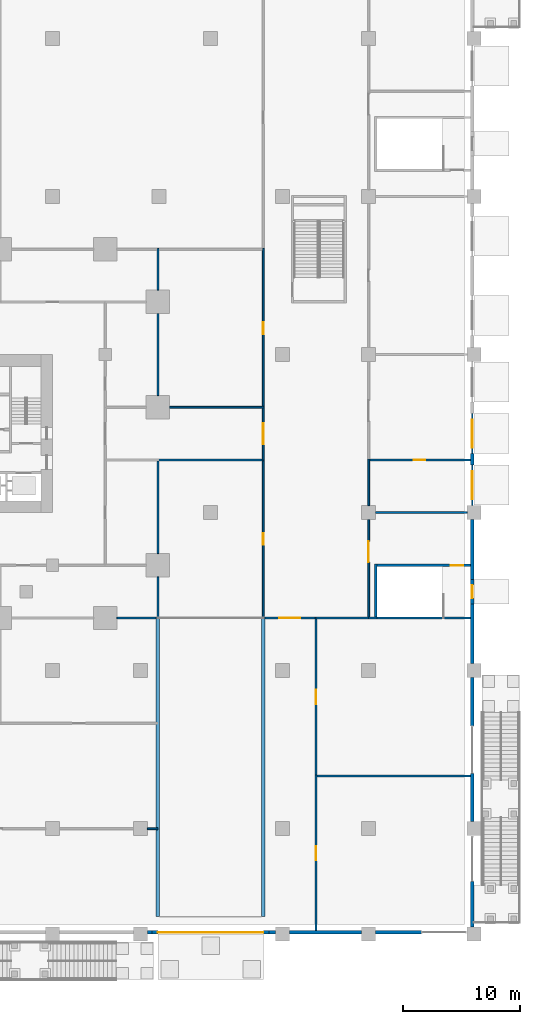
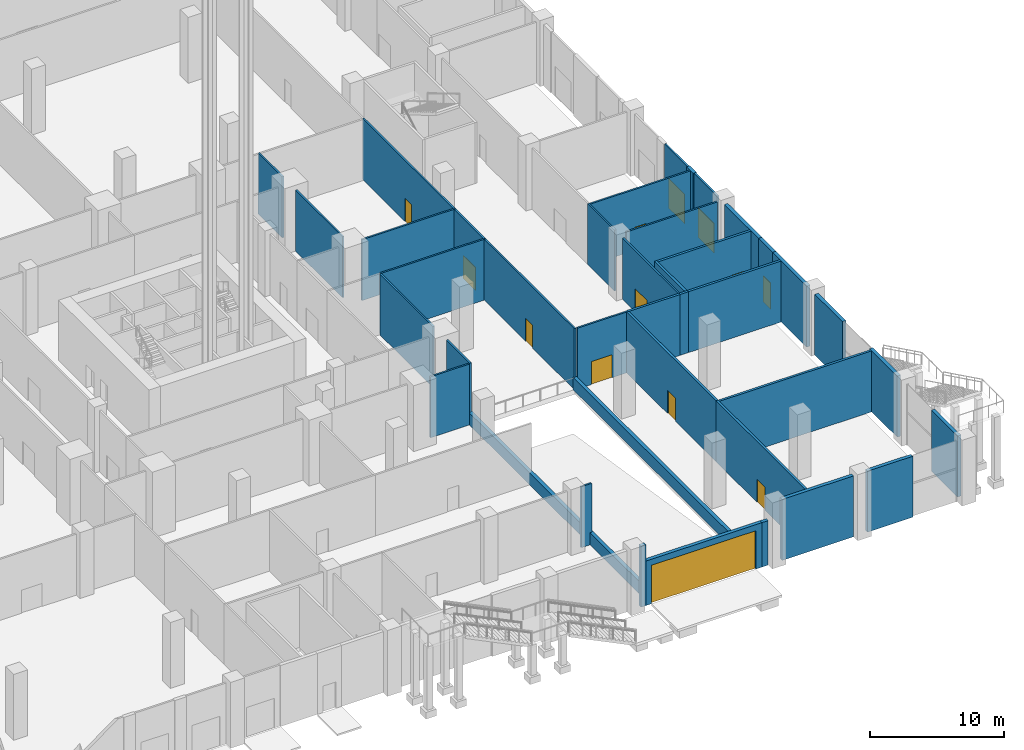
# One storey, part 34 of 68: 40 walls, 13 doors, 13 openings.
"""IFC4 building model written with IfcOpenShell, lengths in metres."""

from ifc_helpers import new_model, si_unit, direction, frame, frame_2d, origin, place, context, subcontext, project, spatial, rectangle, extrude, material, layer, layer_set, type_object, element, fill, save


model = new_model("IFC4")

# Units and contexts
model_context = context("Model", 3, precision=1e-05, world=origin(), true_north=direction((0.0, 1.0)))
body_context = subcontext(model_context, "Body", "Model", "MODEL_VIEW")
ifc_project = project(units=[si_unit("LENGTHUNIT", "METRE"), si_unit("AREAUNIT", "SQUARE_METRE"), si_unit("VOLUMEUNIT", "CUBIC_METRE"), si_unit("PLANEANGLEUNIT", "RADIAN"), si_unit("MASSUNIT", "GRAM", prefix="KILO")], contexts=[model_context])

# Site, building, storey
site_placement = place(None, origin())
site = spatial("IfcSite", under=ifc_project, at=site_placement, CompositionType="ELEMENT")
building_placement = place(site_placement, origin())
building = spatial("IfcBuilding", under=site, at=building_placement, Name="Altepetl Exchange Towers", CompositionType="ELEMENT")
storey_placement = place(building_placement, origin())
storey = spatial("IfcBuildingStorey", under=building, at=storey_placement, Name="L00 Ground concourse", CompositionType="ELEMENT", Elevation=0.0)

# Wall, opening, door
ifc_material_1 = material(Name="Aluminium composite cladding", Category="aluminium")
ifc_layer_1 = layer(ifc_material_1, 0.14990234375)
ifc_layer_set_1 = layer_set([ifc_layer_1], Name="Aluminium composite cladding")
wall_type_1 = type_object("IfcWallType", Name="Infill wall 150 aluminium panel", PredefinedType="SOLIDWALL", material=ifc_layer_set_1)
wall_1_placement = place(storey_placement, frame((152.85009765625, 36.60009765625, 0.0), z_axis=(0.0, 0.0, 1.0), x_axis=(0.0, 1.0, 0.0)))
wall_1 = element("IfcWall", 1, at=wall_1_placement, inside=storey, type_object=wall_type_1, Name="Door bay wall", PredefinedType="SOLIDWALL", context=body_context, shape_type="SweptSolid", body=[
    extrude(rectangle(XDim=3.449951171875, YDim=0.14990234375, at=frame_2d((1.72509765625, 0.0))), origin(), (0.0, 0.0, 1.0), 5.550048828125),
])
opening_1_placement = place(wall_1_placement, frame((0.550048828125, 0.0, 0.0)))
opening_1 = element("IfcOpeningElement", 2, at=opening_1_placement, cuts=wall_1, Name="Opening L00.E45", PredefinedType="OPENING", context=body_context, shape_type="SweptSolid", body=[
    extrude(rectangle(XDim=2.39990234375, YDim=2.699951171875, at=frame_2d((1.199951171875, 1.35009765625))), frame((0.0, 0.0849609375, 0.0), z_axis=(0.0, -1.0, 0.0), x_axis=(1.0, 0.0, 0.0)), (0.0, 0.0, 1.0), 0.169921875),
])
ifc_material_2 = material(Name="Aluminium 6063-T6 and glass", Category="aluminium")
door_type_1 = type_object("IfcDoorType", Name="Entrance door pair 2400x2700 pedestrian", OperationType="DOUBLE_DOOR_DOUBLE_SWING", PredefinedType="NOTDEFINED", material=ifc_material_2)
door_1_placement = place(opening_1_placement, frame((2.39990234375, 0.0, 0.0), x_axis=(-1.0, 0.0, 0.0)))
door_1 = element("IfcDoor", 3, at=door_1_placement, inside=storey, type_object=door_type_1, Name="Entrance door", OperationType="DOUBLE_DOOR_DOUBLE_SWING", OverallHeight=2.699951171875, OverallWidth=2.39990234375, PredefinedType="NOTDEFINED", context=body_context, shape_type="SweptSolid", body=[
    extrude(rectangle(XDim=2.39990234375, YDim=2.699951171875, at=frame_2d((1.199951171875, 1.35009765625))), frame((0.0, 0.02490234375, 0.0), z_axis=(0.0, -1.0, 0.0), x_axis=(1.0, 0.0, 0.0)), (0.0, 0.0, 1.0), 0.050048828125),
])
fill(opening_1, door_1)

wall_2_placement = place(storey_placement, frame((152.85009765625, 41.050048828125, 0.0), z_axis=(0.0, 0.0, 1.0), x_axis=(0.0, 1.0, 0.0)))
wall_2 = element("IfcWall", 4, at=wall_2_placement, inside=storey, type_object=wall_type_1, Name="Door bay wall", PredefinedType="SOLIDWALL", context=body_context, shape_type="SweptSolid", body=[
    extrude(rectangle(XDim=3.39990234375, YDim=0.14990234375, at=frame_2d((1.699951171875, 0.0))), origin(), (0.0, 0.0, 1.0), 5.550048828125),
])
opening_2_placement = place(wall_2_placement, frame((0.5, 0.0, 0.0)))
opening_2 = element("IfcOpeningElement", 5, at=opening_2_placement, cuts=wall_2, Name="Opening L00.E46", PredefinedType="OPENING", context=body_context, shape_type="SweptSolid", body=[
    extrude(rectangle(XDim=2.39990234375, YDim=2.699951171875, at=frame_2d((1.199951171875, 1.35009765625))), frame((0.0, 0.0849609375, 0.0), z_axis=(0.0, -1.0, 0.0), x_axis=(1.0, 0.0, 0.0)), (0.0, 0.0, 1.0), 0.169921875),
])
door_2_placement = place(opening_2_placement, frame((2.39990234375, 0.0, 0.0), x_axis=(-1.0, 0.0, 0.0)))
door_2 = element("IfcDoor", 6, at=door_2_placement, inside=storey, type_object=door_type_1, Name="Entrance door", OperationType="DOUBLE_DOOR_DOUBLE_SWING", OverallHeight=2.699951171875, OverallWidth=2.39990234375, PredefinedType="NOTDEFINED", context=body_context, shape_type="SweptSolid", body=[
    extrude(rectangle(XDim=2.39990234375, YDim=2.699951171875, at=frame_2d((1.199951171875, 1.35009765625))), frame((0.0, 0.02490234375, 0.0), z_axis=(0.0, -1.0, 0.0), x_axis=(1.0, 0.0, 0.0)), (0.0, 0.0, 1.0), 0.050048828125),
])
fill(opening_2, door_2)

ifc_material_3 = material(Name="Concrete block masonry", Category="masonry")
ifc_layer_2 = layer(ifc_material_3, 0.199951171875)
ifc_layer_set_2 = layer_set([ifc_layer_2], Name="Concrete block masonry")
wall_type_2 = type_object("IfcWallType", Name="Podium fire wall 200", PredefinedType="SOLIDWALL", material=ifc_layer_set_2)
wall_3_placement = place(storey_placement, frame((139.5, 0.300048828125, 0.0), z_axis=(0.0, 0.0, 1.0), x_axis=(0.0, 1.0, 0.0)))
wall_3 = element("IfcWall", 7, at=wall_3_placement, inside=storey, type_object=wall_type_2, Name="wall:P:L00:P229", PredefinedType="SOLIDWALL", context=body_context, shape_type="SweptSolid", body=[
    extrude(rectangle(XDim=13.300048828125, YDim=0.199951171875, at=frame_2d((6.64990234375, 0.0))), origin(), (0.0, 0.0, 1.0), 5.550048828125),
])
opening_3_placement = place(wall_3_placement, frame((6.0, 0.0, 0.0)))
opening_3 = element("IfcOpeningElement", 8, at=opening_3_placement, cuts=wall_3, Name="Opening L00.P041", PredefinedType="OPENING", context=body_context, shape_type="SweptSolid", body=[
    extrude(rectangle(XDim=1.199951171875, YDim=2.10009765625, at=frame_2d((0.60009765625, 1.050048828125))), frame((0.0, 0.10986328125, 0.0), z_axis=(0.0, -1.0, 0.0), x_axis=(1.0, 0.0, 0.0)), (0.0, 0.0, 1.0), 0.219970703125),
])
ifc_material_4 = material(Name="Steel fire door", Category="steel")
door_type_2 = type_object("IfcDoorType", Name="Podium fire door 1200 x 2100 double leaf", OperationType="DOUBLE_DOOR_SINGLE_SWING", PredefinedType="DOOR", material=ifc_material_4)
door_3_placement = place(opening_3_placement, frame((1.199951171875, 0.0, 0.0), x_axis=(-1.0, 0.0, 0.0)))
door_3 = element("IfcDoor", 9, at=door_3_placement, inside=storey, type_object=door_type_2, Name="door:P:L00:041", OperationType="DOUBLE_DOOR_SINGLE_SWING", OverallHeight=2.10009765625, OverallWidth=1.199951171875, PredefinedType="DOOR", context=body_context, shape_type="SweptSolid", body=[
    extrude(rectangle(XDim=1.199951171875, YDim=2.10009765625, at=frame_2d((0.60009765625, 1.050048828125))), frame((0.0, 0.02490234375, 0.0), z_axis=(0.0, -1.0, 0.0), x_axis=(1.0, 0.0, 0.0)), (0.0, 0.0, 1.0), 0.050048828125),
])
fill(opening_3, door_3)

wall_4_placement = place(storey_placement, frame((139.5, 13.5, 0.0), z_axis=(0.0, 0.0, 1.0), x_axis=(0.0, 1.0, 0.0)))
wall_4 = element("IfcWall", 10, at=wall_4_placement, inside=storey, type_object=wall_type_2, Name="wall:P:L00:P230", PredefinedType="SOLIDWALL", context=body_context, shape_type="SweptSolid", body=[
    extrude(rectangle(XDim=13.574951171875, YDim=0.199951171875, at=frame_2d((6.78759765625, 0.0))), origin(), (0.0, 0.0, 1.0), 5.550048828125),
])
opening_4_placement = place(wall_4_placement, frame((6.14990234375, 0.0, 0.0)))
opening_4 = element("IfcOpeningElement", 11, at=opening_4_placement, cuts=wall_4, Name="Opening L00.P042", PredefinedType="OPENING", context=body_context, shape_type="SweptSolid", body=[
    extrude(rectangle(XDim=1.199951171875, YDim=2.10009765625, at=frame_2d((0.60009765625, 1.050048828125))), frame((0.0, 0.10986328125, 0.0), z_axis=(0.0, -1.0, 0.0), x_axis=(1.0, 0.0, 0.0)), (0.0, 0.0, 1.0), 0.219970703125),
])
door_4_placement = place(opening_4_placement, frame((1.199951171875, 0.0, 0.0), x_axis=(-1.0, 0.0, 0.0)))
door_4 = element("IfcDoor", 12, at=door_4_placement, inside=storey, type_object=door_type_2, Name="door:P:L00:042", OperationType="DOUBLE_DOOR_SINGLE_SWING", OverallHeight=2.10009765625, OverallWidth=1.199951171875, PredefinedType="DOOR", context=body_context, shape_type="SweptSolid", body=[
    extrude(rectangle(XDim=1.199951171875, YDim=2.10009765625, at=frame_2d((0.60009765625, 1.050048828125))), frame((0.0, 0.02490234375, 0.0), z_axis=(0.0, -1.0, 0.0), x_axis=(1.0, 0.0, 0.0)), (0.0, 0.0, 1.0), 0.050048828125),
])
fill(opening_4, door_4)

# Walls
wall_5_placement = place(storey_placement, frame((139.60009765625, 13.5, 0.0)))
element("IfcWall", 13, at=wall_5_placement, inside=storey, type_object=wall_type_2, Name="wall:P:L00:P232", PredefinedType="SOLIDWALL", context=body_context, shape_type="SweptSolid", body=[
    extrude(rectangle(XDim=13.099853515625, YDim=0.199951171875, at=frame_2d((6.5498046875, 0.0))), origin(), (0.0, 0.0, 1.0), 5.550048828125),
])
wall_6_placement = place(storey_placement, frame((139.5, 27.0, 0.0)))
element("IfcWall", 14, at=wall_6_placement, inside=storey, type_object=wall_type_2, Name="wall:P:L00:P233", PredefinedType="SOLIDWALL", context=body_context, shape_type="SweptSolid", body=[
    extrude(rectangle(XDim=4.574951171875, YDim=0.199951171875, at=frame_2d((2.28759765625, 0.0))), origin(), (0.0, 0.0, 1.0), 5.550048828125),
])
wall_7_placement = place(storey_placement, frame((144.0, 27.0, 0.0)))
element("IfcWall", 15, at=wall_7_placement, inside=storey, type_object=wall_type_2, Name="wall:P:L00:P234", PredefinedType="SOLIDWALL", context=body_context, shape_type="SweptSolid", body=[
    extrude(rectangle(XDim=0.699951171875, YDim=0.199951171875, at=frame_2d((0.35009765625, 0.0))), origin(), (0.0, 0.0, 1.0), 5.550048828125),
])
ifc_material_5 = material(Name="Gypsum board on steel studs", Category="steel")
ifc_layer_3 = layer(ifc_material_5, 0.14990234375)
ifc_layer_set_3 = layer_set([ifc_layer_3], Name="Gypsum board on steel studs")
wall_type_3 = type_object("IfcWallType", Name="Podium partition 150", PredefinedType="PARTITIONING", material=ifc_layer_set_3)
wall_8_placement = place(storey_placement, frame((122.4951171875, 27.0, 0.0)))
element("IfcWall", 16, at=wall_8_placement, inside=storey, type_object=wall_type_3, Name="wall:P:L00:P199", PredefinedType="PARTITIONING", context=body_context, shape_type="SweptSolid", body=[
    extrude(rectangle(XDim=3.35498046875, YDim=0.14990234375, at=frame_2d((1.677490234375, 0.0))), origin(), (0.0, 0.0, 1.0), 5.550048828125),
])
wall_9_placement = place(storey_placement, frame((126.0, 27.0, 0.0), z_axis=(0.0, 0.0, 1.0), x_axis=(0.0, 1.0, 0.0)))
element("IfcWall", 17, at=wall_9_placement, inside=storey, type_object=wall_type_3, Name="wall:P:L00:P200", PredefinedType="PARTITIONING", context=body_context, shape_type="SweptSolid", body=[
    extrude(rectangle(XDim=3.5048828125, YDim=0.14990234375, at=frame_2d((1.75244140625, 0.0))), origin(), (0.0, 0.0, 1.0), 5.550048828125),
])
wall_10_placement = place(storey_placement, frame((126.0, 54.9951171875, 0.0), z_axis=(0.0, 0.0, 1.0), x_axis=(0.0, 1.0, 0.0)))
element("IfcWall", 18, at=wall_10_placement, inside=storey, type_object=wall_type_3, Name="wall:P:L00:P204", PredefinedType="PARTITIONING", context=body_context, shape_type="SweptSolid", body=[
    extrude(rectangle(XDim=3.579833984375, YDim=0.14990234375, at=frame_2d((1.7900390625, 0.0))), origin(), (0.0, 0.0, 1.0), 5.550048828125),
])
wall_11_placement = place(storey_placement, frame((126.0, 32.4951171875, 0.0), z_axis=(0.0, 0.0, 1.0), x_axis=(0.0, 1.0, 0.0)))
element("IfcWall", 19, at=wall_11_placement, inside=storey, type_object=wall_type_3, Name="wall:P:L00:P208", PredefinedType="PARTITIONING", context=body_context, shape_type="SweptSolid", body=[
    extrude(rectangle(XDim=7.929931640625, YDim=0.14990234375, at=frame_2d((3.96484375, 0.0))), origin(), (0.0, 0.0, 1.0), 5.550048828125),
])
wall_12_placement = place(storey_placement, frame((126.0, 40.5, 0.0)))
element("IfcWall", 20, at=wall_12_placement, inside=storey, type_object=wall_type_3, Name="wall:P:L00:P210", PredefinedType="PARTITIONING", context=body_context, shape_type="SweptSolid", body=[
    extrude(rectangle(XDim=9.074951171875, YDim=0.14990234375, at=frame_2d((4.53759765625, 0.0))), origin(), (0.0, 0.0, 1.0), 5.550048828125),
])
wall_13_placement = place(storey_placement, frame((126.9951171875, 45.0, 0.0)))
element("IfcWall", 21, at=wall_13_placement, inside=storey, type_object=wall_type_3, Name="wall:P:L00:P211", PredefinedType="PARTITIONING", context=body_context, shape_type="SweptSolid", body=[
    extrude(rectangle(XDim=8.079833984375, YDim=0.14990234375, at=frame_2d((4.0400390625, 0.0))), origin(), (0.0, 0.0, 1.0), 5.550048828125),
])

# Wall, opening, door
wall_14_placement = place(storey_placement, frame((135.0, 40.5, 0.0), z_axis=(0.0, 0.0, 1.0), x_axis=(0.0, 1.0, 0.0)))
wall_14 = element("IfcWall", 22, at=wall_14_placement, inside=storey, type_object=wall_type_3, Name="wall:P:L00:P212", PredefinedType="PARTITIONING", context=body_context, shape_type="SweptSolid", body=[
    extrude(rectangle(XDim=4.425048828125, YDim=0.14990234375, at=frame_2d((2.21240234375, 0.0))), origin(), (0.0, 0.0, 1.0), 5.550048828125),
])
opening_5_placement = place(wall_14_placement, frame((1.35009765625, 0.0, 0.0)))
opening_5 = element("IfcOpeningElement", 23, at=opening_5_placement, cuts=wall_14, Name="Opening L00.P090", PredefinedType="OPENING", context=body_context, shape_type="SweptSolid", body=[
    extrude(rectangle(XDim=1.800048828125, YDim=2.10009765625, at=frame_2d((0.89990234375, 1.050048828125))), frame((0.0, 0.0849609375, 0.0), z_axis=(0.0, -1.0, 0.0), x_axis=(1.0, 0.0, 0.0)), (0.0, 0.0, 1.0), 0.169921875),
])
ifc_material_6 = material(Name="Glazed aluminium and steel", Category="steel")
door_type_3 = type_object("IfcDoorType", Name="Podium fire door 1800 x 2100 double leaf", OperationType="DOUBLE_DOOR_SINGLE_SWING", PredefinedType="DOOR", material=ifc_material_6)
door_5_placement = place(opening_5_placement, origin())
door_5 = element("IfcDoor", 24, at=door_5_placement, inside=storey, type_object=door_type_3, Name="door:P:L00:090", OperationType="DOUBLE_DOOR_SINGLE_SWING", OverallHeight=2.10009765625, OverallWidth=1.800048828125, PredefinedType="DOOR", context=body_context, shape_type="SweptSolid", body=[
    extrude(rectangle(XDim=1.800048828125, YDim=2.10009765625, at=frame_2d((0.89990234375, 1.050048828125))), frame((0.0, 0.02490234375, 0.0), z_axis=(0.0, -1.0, 0.0), x_axis=(1.0, 0.0, 0.0)), (0.0, 0.0, 1.0), 0.050048828125),
])
fill(opening_5, door_5)

# Walls
wall_15_placement = place(storey_placement, frame((126.0, 45.9951171875, 0.0), z_axis=(0.0, 0.0, 1.0), x_axis=(0.0, 1.0, 0.0)))
element("IfcWall", 25, at=wall_15_placement, inside=storey, type_object=wall_type_3, Name="wall:P:L00:P213", PredefinedType="PARTITIONING", context=body_context, shape_type="SweptSolid", body=[
    extrude(rectangle(XDim=7.009765625, YDim=0.14990234375, at=frame_2d((3.5048828125, 0.0))), origin(), (0.0, 0.0, 1.0), 5.550048828125),
])
wall_16_placement = place(storey_placement, frame((125.094970703125, 9.0, 0.0)))
element("IfcWall", 26, at=wall_16_placement, inside=storey, type_object=wall_type_3, Name="wall:P:L00:P223", PredefinedType="PARTITIONING", context=body_context, shape_type="SweptSolid", body=[
    extrude(rectangle(XDim=0.905029296875, YDim=0.14990234375, at=frame_2d((0.45263671875, 0.0))), origin(), (0.0, 0.0, 1.0), 5.550048828125),
])

# Wall, opening, door
wall_17_placement = place(storey_placement, frame((135.14990234375, 27.0, 0.0)))
wall_17 = element("IfcWall", 27, at=wall_17_placement, inside=storey, type_object=wall_type_3, Name="wall:P:L00:P231", PredefinedType="PARTITIONING", context=body_context, shape_type="SweptSolid", body=[
    extrude(rectangle(XDim=4.25, YDim=0.14990234375, at=frame_2d((2.125, 0.0))), origin(), (0.0, 0.0, 1.0), 5.550048828125),
])
opening_6_placement = place(wall_17_placement, frame((1.199951171875, 0.0, 0.0)))
opening_6 = element("IfcOpeningElement", 28, at=opening_6_placement, cuts=wall_17, Name="Opening L00.P091", PredefinedType="OPENING", context=body_context, shape_type="SweptSolid", body=[
    extrude(rectangle(XDim=1.800048828125, YDim=2.10009765625, at=frame_2d((0.89990234375, 1.050048828125))), frame((0.0, 0.0849609375, 0.0), z_axis=(0.0, -1.0, 0.0), x_axis=(1.0, 0.0, 0.0)), (0.0, 0.0, 1.0), 0.169921875),
])
door_6_placement = place(opening_6_placement, frame((1.800048828125, 0.0, 0.0), x_axis=(-1.0, 0.0, 0.0)))
door_6 = element("IfcDoor", 29, at=door_6_placement, inside=storey, type_object=door_type_3, Name="door:P:L00:091", OperationType="DOUBLE_DOOR_SINGLE_SWING", OverallHeight=2.10009765625, OverallWidth=1.800048828125, PredefinedType="DOOR", context=body_context, shape_type="SweptSolid", body=[
    extrude(rectangle(XDim=1.800048828125, YDim=2.10009765625, at=frame_2d((0.89990234375, 1.050048828125))), frame((0.0, 0.02490234375, 0.0), z_axis=(0.0, -1.0, 0.0), x_axis=(1.0, 0.0, 0.0)), (0.0, 0.0, 1.0), 0.050048828125),
])
fill(opening_6, door_6)

wall_18_placement = place(storey_placement, frame((135.0, 27.0, 0.0), z_axis=(0.0, 0.0, 1.0), x_axis=(0.0, 1.0, 0.0)))
wall_18 = element("IfcWall", 30, at=wall_18_placement, inside=storey, type_object=wall_type_3, Name="wall:P:L00:P236", PredefinedType="PARTITIONING", context=body_context, shape_type="SweptSolid", body=[
    extrude(rectangle(XDim=13.425048828125, YDim=0.14990234375, at=frame_2d((6.71240234375, 0.0))), origin(), (0.0, 0.0, 1.0), 5.550048828125),
])
opening_7_placement = place(wall_18_placement, frame((6.25, 0.0, 0.0)))
opening_7 = element("IfcOpeningElement", 31, at=opening_7_placement, cuts=wall_18, Name="Opening L00.P043", PredefinedType="OPENING", context=body_context, shape_type="SweptSolid", body=[
    extrude(rectangle(XDim=1.0, YDim=2.10009765625, at=frame_2d((0.5, 1.050048828125))), frame((0.0, 0.0849609375, 0.0), z_axis=(0.0, -1.0, 0.0), x_axis=(1.0, 0.0, 0.0)), (0.0, 0.0, 1.0), 0.169921875),
])
ifc_material_7 = material(Name="Steel and timber fire door", Category="steel")
door_type_4 = type_object("IfcDoorType", Name="Podium fire door 1000 x 2100 single leaf", OperationType="SINGLE_SWING_LEFT", PredefinedType="DOOR", material=ifc_material_7)
door_7_placement = place(opening_7_placement, origin())
door_7 = element("IfcDoor", 32, at=door_7_placement, inside=storey, type_object=door_type_4, Name="door:P:L00:043", OperationType="SINGLE_SWING_RIGHT", OverallHeight=2.10009765625, OverallWidth=1.0, PredefinedType="DOOR", context=body_context, shape_type="SweptSolid", body=[
    extrude(rectangle(XDim=1.0, YDim=2.10009765625, at=frame_2d((0.5, 1.050048828125))), frame((0.0, 0.02490234375, 0.0), z_axis=(0.0, -1.0, 0.0), x_axis=(1.0, 0.0, 0.0)), (0.0, 0.0, 1.0), 0.050048828125),
])
fill(opening_7, door_7)

wall_19_placement = place(storey_placement, frame((135.0, 45.0, 0.0), z_axis=(0.0, 0.0, 1.0), x_axis=(0.0, 1.0, 0.0)))
wall_19 = element("IfcWall", 33, at=wall_19_placement, inside=storey, type_object=wall_type_3, Name="wall:P:L00:P237", PredefinedType="PARTITIONING", context=body_context, shape_type="SweptSolid", body=[
    extrude(rectangle(XDim=13.574951171875, YDim=0.14990234375, at=frame_2d((6.78759765625, 0.0))), origin(), (0.0, 0.0, 1.0), 5.550048828125),
])
opening_8_placement = place(wall_19_placement, frame((6.25, 0.0, 0.0)))
opening_8 = element("IfcOpeningElement", 34, at=opening_8_placement, cuts=wall_19, Name="Opening L00.P044", PredefinedType="OPENING", context=body_context, shape_type="SweptSolid", body=[
    extrude(rectangle(XDim=1.0, YDim=2.10009765625, at=frame_2d((0.5, 1.050048828125))), frame((0.0, 0.0849609375, 0.0), z_axis=(0.0, -1.0, 0.0), x_axis=(1.0, 0.0, 0.0)), (0.0, 0.0, 1.0), 0.169921875),
])
door_8_placement = place(opening_8_placement, origin())
door_8 = element("IfcDoor", 35, at=door_8_placement, inside=storey, type_object=door_type_4, Name="door:P:L00:044", OperationType="SINGLE_SWING_RIGHT", OverallHeight=2.10009765625, OverallWidth=1.0, PredefinedType="DOOR", context=body_context, shape_type="SweptSolid", body=[
    extrude(rectangle(XDim=1.0, YDim=2.10009765625, at=frame_2d((0.5, 1.050048828125))), frame((0.0, 0.02490234375, 0.0), z_axis=(0.0, -1.0, 0.0), x_axis=(1.0, 0.0, 0.0)), (0.0, 0.0, 1.0), 0.050048828125),
])
fill(opening_8, door_8)

wall_20_placement = place(storey_placement, frame((144.0, 27.10009765625, 0.0), z_axis=(0.0, 0.0, 1.0), x_axis=(0.0, 1.0, 0.0)))
wall_20 = element("IfcWall", 36, at=wall_20_placement, inside=storey, type_object=wall_type_3, Name="wall:P:L00:P239", PredefinedType="PARTITIONING", context=body_context, shape_type="SweptSolid", body=[
    extrude(rectangle(XDim=8.304931640625, YDim=0.14990234375, at=frame_2d((4.15234375, 0.0))), origin(), (0.0, 0.0, 1.0), 5.550048828125),
])
opening_9_placement = place(wall_20_placement, frame((4.64990234375, 0.0, 0.0)))
opening_9 = element("IfcOpeningElement", 37, at=opening_9_placement, cuts=wall_20, Name="Opening L00.P092", PredefinedType="OPENING", context=body_context, shape_type="SweptSolid", body=[
    extrude(rectangle(XDim=1.800048828125, YDim=2.10009765625, at=frame_2d((0.89990234375, 1.050048828125))), frame((0.0, 0.0849609375, 0.0), z_axis=(0.0, -1.0, 0.0), x_axis=(1.0, 0.0, 0.0)), (0.0, 0.0, 1.0), 0.169921875),
])
door_9_placement = place(opening_9_placement, frame((1.800048828125, 0.0, 0.0), x_axis=(-1.0, 0.0, 0.0)))
door_9 = element("IfcDoor", 38, at=door_9_placement, inside=storey, type_object=door_type_3, Name="door:P:L00:092", OperationType="DOUBLE_DOOR_SINGLE_SWING", OverallHeight=2.10009765625, OverallWidth=1.800048828125, PredefinedType="DOOR", context=body_context, shape_type="SweptSolid", body=[
    extrude(rectangle(XDim=1.800048828125, YDim=2.10009765625, at=frame_2d((0.89990234375, 1.050048828125))), frame((0.0, 0.02490234375, 0.0), z_axis=(0.0, -1.0, 0.0), x_axis=(1.0, 0.0, 0.0)), (0.0, 0.0, 1.0), 0.050048828125),
])
fill(opening_9, door_9)

# Walls
wall_21_placement = place(storey_placement, frame((144.0, 36.594970703125, 0.0), z_axis=(0.0, 0.0, 1.0), x_axis=(0.0, 1.0, 0.0)))
element("IfcWall", 39, at=wall_21_placement, inside=storey, type_object=wall_type_3, Name="wall:P:L00:P240", PredefinedType="PARTITIONING", context=body_context, shape_type="SweptSolid", body=[
    extrude(rectangle(XDim=3.97998046875, YDim=0.14990234375, at=frame_2d((1.989990234375, 0.0))), origin(), (0.0, 0.0, 1.0), 5.550048828125),
])
wall_22_placement = place(storey_placement, frame((144.594970703125, 36.0, 0.0)))
element("IfcWall", 40, at=wall_22_placement, inside=storey, type_object=wall_type_3, Name="wall:P:L00:P254", PredefinedType="PARTITIONING", context=body_context, shape_type="SweptSolid", body=[
    extrude(rectangle(XDim=7.81005859375, YDim=0.14990234375, at=frame_2d((3.905029296875, 0.0))), origin(), (0.0, 0.0, 1.0), 5.550048828125),
])

# Wall, opening, door
wall_23_placement = place(storey_placement, frame((144.074951171875, 40.5, 0.0)))
wall_23 = element("IfcWall", 41, at=wall_23_placement, inside=storey, type_object=wall_type_3, Name="wall:P:L00:P257", PredefinedType="PARTITIONING", context=body_context, shape_type="SweptSolid", body=[
    extrude(rectangle(XDim=8.625, YDim=0.14990234375, at=frame_2d((4.3125, 0.0))), origin(), (0.0, 0.0, 1.0), 5.550048828125),
])
opening_10_placement = place(wall_23_placement, frame((3.77490234375, 0.0, 0.0)))
opening_10 = element("IfcOpeningElement", 42, at=opening_10_placement, cuts=wall_23, Name="Opening L00.P045", PredefinedType="OPENING", context=body_context, shape_type="SweptSolid", body=[
    extrude(rectangle(XDim=1.0, YDim=2.10009765625, at=frame_2d((0.5, 1.050048828125))), frame((0.0, 0.0849609375, 0.0), z_axis=(0.0, -1.0, 0.0), x_axis=(1.0, 0.0, 0.0)), (0.0, 0.0, 1.0), 0.169921875),
])
door_10_placement = place(opening_10_placement, frame((1.0, 0.0, 0.0), x_axis=(-1.0, 0.0, 0.0)))
door_10 = element("IfcDoor", 43, at=door_10_placement, inside=storey, type_object=door_type_4, Name="door:P:L00:045", OperationType="SINGLE_SWING_LEFT", OverallHeight=2.10009765625, OverallWidth=1.0, PredefinedType="DOOR", context=body_context, shape_type="SweptSolid", body=[
    extrude(rectangle(XDim=1.0, YDim=2.10009765625, at=frame_2d((0.5, 1.050048828125))), frame((0.0, 0.02490234375, 0.0), z_axis=(0.0, -1.0, 0.0), x_axis=(1.0, 0.0, 0.0)), (0.0, 0.0, 1.0), 0.050048828125),
])
fill(opening_10, door_10)

# Walls
ifc_material_8 = material(Name="Reinforced concrete C35/45", Category="concrete")
ifc_layer_4 = layer(ifc_material_8, 0.300048828125)
ifc_layer_set_4 = layer_set([ifc_layer_4], Name="Reinforced concrete C35/45")
wall_type_4 = type_object("IfcWallType", Name="Ramp retaining wall 300", PredefinedType="SOLIDWALL", material=ifc_layer_set_4)
for number, where, z_axis, x_axis, name in (
    (44, (126.0, 1.5, 0.0), (0.0, 0.0, 1.0), (0.0, 1.0, 0.0), "wall:P:L00:rampR1W"),
    (45, (135.0, 1.5, 0.0), (0.0, 0.0, 1.0), (0.0, 1.0, 0.0), "wall:P:L00:rampR1E"),
):
    element("IfcWall", number, at=place(storey_placement, frame(where, z_axis=z_axis, x_axis=x_axis)), inside=storey, type_object=wall_type_4, Name=name, PredefinedType="SOLIDWALL", context=body_context, shape_type="SweptSolid", body=[
        extrude(rectangle(XDim=25.574951171875, YDim=0.300048828125, at=frame_2d((12.78759765625, 0.0))), origin(), (0.0, 0.0, 1.0), 1.10009765625),
    ])
ifc_layer_5 = layer(ifc_material_8, 0.199951171875)
ifc_layer_set_5 = layer_set([ifc_layer_5], Name="Reinforced concrete C35/45")
wall_type_5 = type_object("IfcWallType", Name="Stair enclosure wall 200", PredefinedType="SOLIDWALL", material=ifc_layer_set_5)
wall_24_placement = place(storey_placement, frame((144.60009765625, 27.0, 0.0)))
element("IfcWall", 46, at=wall_24_placement, inside=storey, type_object=wall_type_5, Name="wall:P:L00:P235", PredefinedType="SOLIDWALL", context=body_context, shape_type="SweptSolid", body=[
    extrude(rectangle(XDim=8.099853515625, YDim=0.199951171875, at=frame_2d((4.0498046875, 0.0))), origin(), (0.0, 0.0, 1.0), 5.550048828125),
])
wall_25_placement = place(storey_placement, frame((144.60009765625, 27.10009765625, 0.0), z_axis=(0.0, 0.0, 1.0), x_axis=(0.0, 1.0, 0.0)))
element("IfcWall", 47, at=wall_25_placement, inside=storey, type_object=wall_type_5, Name="wall:P:L00:P255", PredefinedType="SOLIDWALL", context=body_context, shape_type="SweptSolid", body=[
    extrude(rectangle(XDim=4.5, YDim=0.199951171875, at=frame_2d((2.25, 0.0))), origin(), (0.0, 0.0, 1.0), 5.550048828125),
])

# Wall, opening, door
wall_26_placement = place(storey_placement, frame((144.699951171875, 31.5, 0.0)))
wall_26 = element("IfcWall", 48, at=wall_26_placement, inside=storey, type_object=wall_type_5, Name="wall:P:L00:P256", PredefinedType="SOLIDWALL", context=body_context, shape_type="SweptSolid", body=[
    extrude(rectangle(XDim=8.0, YDim=0.199951171875, at=frame_2d((4.0, 0.0))), origin(), (0.0, 0.0, 1.0), 5.550048828125),
])
opening_11_placement = place(wall_26_placement, frame((6.300048828125, 0.0, 0.0)))
opening_11 = element("IfcOpeningElement", 49, at=opening_11_placement, cuts=wall_26, Name="Opening L00.P059", PredefinedType="OPENING", context=body_context, shape_type="SweptSolid", body=[
    extrude(rectangle(XDim=1.10009765625, YDim=2.10009765625, at=frame_2d((0.550048828125, 1.050048828125))), frame((0.0, 0.10986328125, 0.0), z_axis=(0.0, -1.0, 0.0), x_axis=(1.0, 0.0, 0.0)), (0.0, 0.0, 1.0), 0.219970703125),
])
door_type_5 = type_object("IfcDoorType", Name="Podium fire door 1100 x 2100 single leaf", OperationType="SINGLE_SWING_LEFT", PredefinedType="DOOR", material=ifc_material_4)
door_11_placement = place(opening_11_placement, origin())
door_11 = element("IfcDoor", 50, at=door_11_placement, inside=storey, type_object=door_type_5, Name="door:P:L00:059", OperationType="SINGLE_SWING_LEFT", OverallHeight=2.10009765625, OverallWidth=1.10009765625, PredefinedType="DOOR", context=body_context, shape_type="SweptSolid", body=[
    extrude(rectangle(XDim=1.10009765625, YDim=2.10009765625, at=frame_2d((0.550048828125, 1.050048828125))), frame((0.0, 0.02490234375, 0.0), z_axis=(0.0, -1.0, 0.0), x_axis=(1.0, 0.0, 0.0)), (0.0, 0.0, 1.0), 0.050048828125),
])
fill(opening_11, door_11)

# Wall
ifc_material_9 = material(Name="Cantera limestone cladding", Category="masonry")
ifc_layer_6 = layer(ifc_material_9, 0.300048828125)
ifc_layer_set_6 = layer_set([ifc_layer_6], Name="Cantera limestone cladding")
wall_type_6 = type_object("IfcWallType", Name="Stone wall panel 300", PredefinedType="ELEMENTEDWALL", material=ifc_layer_set_6)
wall_27_placement = place(storey_placement, frame((125.10009765625, 0.14990234375, 0.0)))
element("IfcWall", 51, at=wall_27_placement, inside=storey, type_object=wall_type_6, Name="Stone wall panel", PredefinedType="ELEMENTEDWALL", context=body_context, shape_type="SweptSolid", body=[
    extrude(rectangle(XDim=0.39990234375, YDim=0.300048828125, at=frame_2d((0.199951171875, 0.0))), origin(), (0.0, 0.0, 1.0), 5.550048828125),
])

# Wall, opening, door
wall_28_placement = place(storey_placement, frame((125.5, 0.14990234375, 0.0)))
wall_28 = element("IfcWall", 52, at=wall_28_placement, inside=storey, type_object=wall_type_6, Name="Stone wall panel", PredefinedType="ELEMENTEDWALL", context=body_context, shape_type="SweptSolid", body=[
    extrude(rectangle(XDim=10.0, YDim=0.300048828125, at=frame_2d((5.0, 0.0))), origin(), (0.0, 0.0, 1.0), 4.050048828125),
])
opening_12_placement = place(wall_28_placement, frame((0.5, 0.0, 0.0)))
opening_12 = element("IfcOpeningElement", 53, at=opening_12_placement, cuts=wall_28, Name="Opening L00.V01", PredefinedType="OPENING", context=body_context, shape_type="SweptSolid", body=[
    extrude(rectangle(XDim=9.0, YDim=3.5, at=frame_2d((4.5, 1.75))), frame((0.0, 0.16015625, 0.0), z_axis=(0.0, -1.0, 0.0), x_axis=(1.0, 0.0, 0.0)), (0.0, 0.0, 1.0), 0.320068359375),
])
ifc_material_10 = material(Name="Galvanised steel", Category="steel")
door_type_6 = type_object("IfcDoorType", Name="Roller shutter door 9000x3500", OperationType="ROLLINGUP", PredefinedType="NOTDEFINED", material=ifc_material_10)
door_12_placement = place(opening_12_placement, origin())
door_12 = element("IfcDoor", 54, at=door_12_placement, inside=storey, type_object=door_type_6, Name="Vehicle gate", OperationType="ROLLINGUP", OverallHeight=3.5, OverallWidth=9.0, PredefinedType="NOTDEFINED", context=body_context, shape_type="SweptSolid", body=[
    extrude(rectangle(XDim=9.0, YDim=3.5, at=frame_2d((4.5, 1.75))), frame((0.0, 0.02490234375, 0.0), z_axis=(0.0, -1.0, 0.0), x_axis=(1.0, 0.0, 0.0)), (0.0, 0.0, 1.0), 0.050048828125),
])
fill(opening_12, door_12)

# Walls
wall_29_placement = place(storey_placement, frame((135.5, 0.14990234375, 0.0)))
element("IfcWall", 55, at=wall_29_placement, inside=storey, type_object=wall_type_6, Name="Stone wall panel", PredefinedType="ELEMENTEDWALL", context=body_context, shape_type="SweptSolid", body=[
    extrude(rectangle(XDim=0.550048828125, YDim=0.300048828125, at=frame_2d((0.27490234375, 0.0))), origin(), (0.0, 0.0, 1.0), 4.050048828125),
])
wall_30_placement = place(storey_placement, frame((137.25, 0.14990234375, 0.0)))
element("IfcWall", 56, at=wall_30_placement, inside=storey, type_object=wall_type_6, Name="Stone wall panel", PredefinedType="ELEMENTEDWALL", context=body_context, shape_type="SweptSolid", body=[
    extrude(rectangle(XDim=6.14990234375, YDim=0.300048828125, at=frame_2d((3.074951171875, 0.0))), origin(), (0.0, 0.0, 1.0), 5.550048828125),
])
wall_31_placement = place(storey_placement, frame((144.60009765625, 0.14990234375, 0.0)))
element("IfcWall", 57, at=wall_31_placement, inside=storey, type_object=wall_type_6, Name="Stone wall panel", PredefinedType="ELEMENTEDWALL", context=body_context, shape_type="SweptSolid", body=[
    extrude(rectangle(XDim=3.89990234375, YDim=0.300048828125, at=frame_2d((1.949951171875, 0.0))), origin(), (0.0, 0.0, 1.0), 5.550048828125),
])
wall_32_placement = place(storey_placement, frame((152.85009765625, 0.60009765625, 0.0), z_axis=(0.0, 0.0, 1.0), x_axis=(0.0, 1.0, 0.0)))
element("IfcWall", 58, at=wall_32_placement, inside=storey, type_object=wall_type_6, Name="Stone wall panel", PredefinedType="ELEMENTEDWALL", context=body_context, shape_type="SweptSolid", body=[
    extrude(rectangle(XDim=3.89990234375, YDim=0.300048828125, at=frame_2d((1.949951171875, 0.0))), origin(), (0.0, 0.0, 1.0), 5.550048828125),
])
for number, where, z_axis, x_axis, name in (
    (59, (152.85009765625, 9.60009765625, 0.0), (0.0, 0.0, 1.0), (0.0, 1.0, 0.0), "Stone wall panel"),
    (60, (152.85009765625, 17.783447265625, 0.0), (0.0, 0.0, 1.0), (0.0, 1.0, 0.0), "Stone wall panel"),
):
    element("IfcWall", number, at=place(storey_placement, frame(where, z_axis=z_axis, x_axis=x_axis)), inside=storey, type_object=wall_type_6, Name=name, PredefinedType="ELEMENTEDWALL", context=body_context, shape_type="SweptSolid", body=[
        extrude(rectangle(XDim=4.116455078125, YDim=0.300048828125, at=frame_2d((2.05810546875, 0.0))), origin(), (0.0, 0.0, 1.0), 5.550048828125),
    ])
wall_33_placement = place(storey_placement, frame((152.85009765625, 23.10009765625, 0.0), z_axis=(0.0, 0.0, 1.0), x_axis=(0.0, 1.0, 0.0)))
element("IfcWall", 61, at=wall_33_placement, inside=storey, type_object=wall_type_6, Name="Stone wall panel", PredefinedType="ELEMENTEDWALL", context=body_context, shape_type="SweptSolid", body=[
    extrude(rectangle(XDim=5.099853515625, YDim=0.300048828125, at=frame_2d((2.5498046875, 0.0))), origin(), (0.0, 0.0, 1.0), 5.550048828125),
])

# Wall, opening, door
wall_34_placement = place(storey_placement, frame((152.85009765625, 28.199951171875, 0.0), z_axis=(0.0, 0.0, 1.0), x_axis=(0.0, 1.0, 0.0)))
wall_34 = element("IfcWall", 62, at=wall_34_placement, inside=storey, type_object=wall_type_6, Name="Stone wall panel", PredefinedType="ELEMENTEDWALL", context=body_context, shape_type="SweptSolid", body=[
    extrude(rectangle(XDim=2.10009765625, YDim=0.300048828125, at=frame_2d((1.050048828125, 0.0))), origin(), (0.0, 0.0, 1.0), 5.550048828125),
])
opening_13_placement = place(wall_34_placement, frame((0.5, 0.0, 0.0)))
opening_13 = element("IfcOpeningElement", 63, at=opening_13_placement, cuts=wall_34, Name="Opening L00.E67", PredefinedType="OPENING", context=body_context, shape_type="SweptSolid", body=[
    extrude(rectangle(XDim=1.10009765625, YDim=2.39990234375, at=frame_2d((0.550048828125, 1.199951171875))), frame((0.0, 0.16015625, 0.0), z_axis=(0.0, -1.0, 0.0), x_axis=(1.0, 0.0, 0.0)), (0.0, 0.0, 1.0), 0.320068359375),
])
ifc_material_11 = material(Name="Steel S275", Category="steel")
door_type_7 = type_object("IfcDoorType", Name="Exit door 1100x2400 pedestrian", OperationType="SINGLE_SWING_LEFT", PredefinedType="NOTDEFINED", material=ifc_material_11)
door_13_placement = place(opening_13_placement, frame((1.10009765625, 0.0, 0.0), x_axis=(-1.0, 0.0, 0.0)))
door_13 = element("IfcDoor", 64, at=door_13_placement, inside=storey, type_object=door_type_7, Name="Exit door", OperationType="SINGLE_SWING_LEFT", OverallHeight=2.39990234375, OverallWidth=1.10009765625, PredefinedType="NOTDEFINED", context=body_context, shape_type="SweptSolid", body=[
    extrude(rectangle(XDim=1.10009765625, YDim=2.39990234375, at=frame_2d((0.550048828125, 1.199951171875))), frame((0.0, 0.02490234375, 0.0), z_axis=(0.0, -1.0, 0.0), x_axis=(1.0, 0.0, 0.0)), (0.0, 0.0, 1.0), 0.050048828125),
])
fill(opening_13, door_13)

# Walls
wall_35_placement = place(storey_placement, frame((152.85009765625, 30.300048828125, 0.0), z_axis=(0.0, 0.0, 1.0), x_axis=(0.0, 1.0, 0.0)))
element("IfcWall", 65, at=wall_35_placement, inside=storey, type_object=wall_type_6, Name="Stone wall panel", PredefinedType="ELEMENTEDWALL", context=body_context, shape_type="SweptSolid", body=[
    extrude(rectangle(XDim=5.099853515625, YDim=0.300048828125, at=frame_2d((2.5498046875, 0.0))), origin(), (0.0, 0.0, 1.0), 5.550048828125),
])
wall_36_placement = place(storey_placement, frame((152.85009765625, 40.050048828125, 0.0), z_axis=(0.0, 0.0, 1.0), x_axis=(0.0, 1.0, 0.0)))
element("IfcWall", 66, at=wall_36_placement, inside=storey, type_object=wall_type_6, Name="Stone wall panel", PredefinedType="ELEMENTEDWALL", context=body_context, shape_type="SweptSolid", body=[
    extrude(rectangle(XDim=1.0, YDim=0.300048828125, at=frame_2d((0.5, 0.0))), origin(), (0.0, 0.0, 1.0), 5.550048828125),
])

save(model, "model.ifc")
